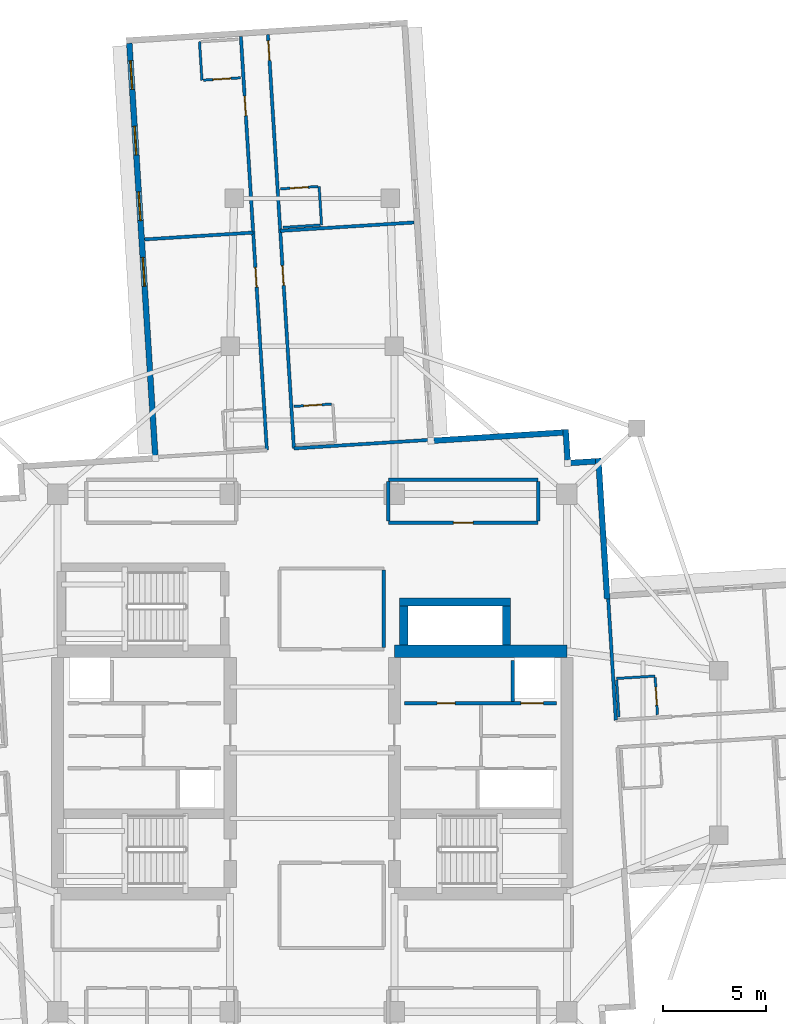
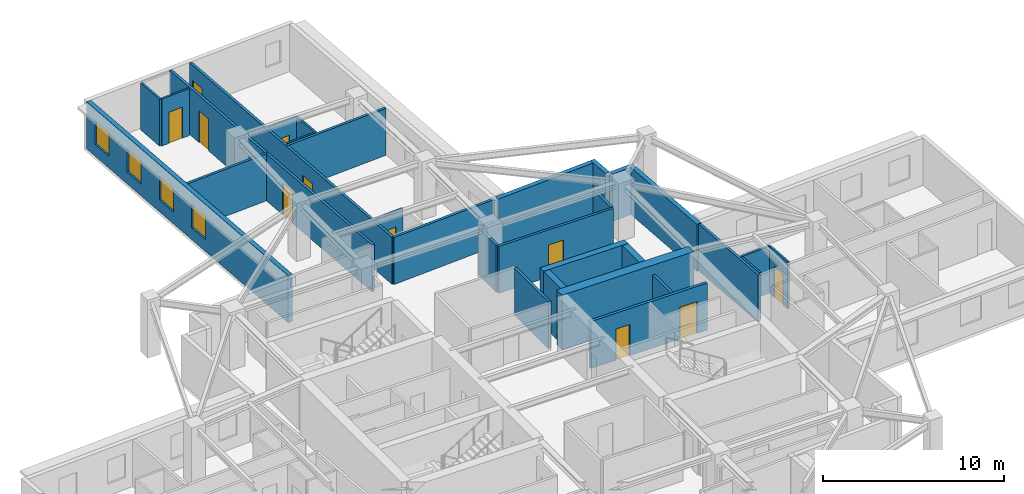
# One storey, part 7 of 12: 31 walls, 11 doors, 4 windows, 15 openings.
"""IFC4 building model written with IfcOpenShell, lengths in metres."""

import ifcopenshell
import ifcopenshell.guid

model = None  # the IFC model being written
_history = None  # IfcOwnerHistory: only IFC2X3 demands one
_inside = {}  # id of a spatial element -> (the spatial element, [elements in it])
_under = {}  # id of a project, library or spatial element -> (it, [spatial elements below it])
_declared = {}  # id of a project -> (the project, [libraries it declares])
_typed = {}  # id of a type object -> (the type object, [elements of that type])
_made_of = {}  # id of a material, layer set ... -> (it, [elements and type objects made of it])


def new_model(schema):
    """Start an empty IFC model of exactly this schema.

    Asked for "IFC4X3", IfcOpenShell would pick the latest addendum, in which some entities
    have other attributes; the version numbers below select the first issue.
    IFC2X3 requires an IfcOwnerHistory on every rooted entity: one is made here for all.
    """
    global model, _history
    if schema == "IFC4X3":
        model = ifcopenshell.file(schema_version=(4, 3, 0, 0))
    else:
        model = ifcopenshell.file(schema=schema)
    _inside.clear()
    _under.clear()
    _declared.clear()
    _typed.clear()
    _made_of.clear()
    _history = None
    if model.schema == "IFC2X3":
        org = make("IfcOrganization", Name="unknown")
        user = make(
            "IfcPersonAndOrganization",
            ThePerson=make("IfcPerson", FamilyName="unknown"),
            TheOrganization=org,
        )
        app = make(
            "IfcApplication",
            ApplicationDeveloper=org,
            Version="unknown",
            ApplicationFullName="unknown",
            ApplicationIdentifier="unknown",
        )
        _history = make(
            "IfcOwnerHistory",
            OwningUser=user,
            OwningApplication=app,
            ChangeAction="ADDED",
            CreationDate=0,
        )
    return model


def make(cls, **values):
    """One entity of the class cls with the attributes given. An attribute that is None is left unset."""
    return model.create_entity(
        cls, **{name: value for name, value in values.items() if value is not None}
    )


def rooted(cls, **values):
    """An entity with a GlobalId (a new one), such as an element, a storey or a relation."""
    return make(cls, GlobalId=ifcopenshell.guid.new(), OwnerHistory=_history, **values)


def si_unit(unit_type, name, prefix=None):
    """IfcSIUnit, for example si_unit("LENGTHUNIT", "METRE", prefix="MILLI")."""
    return make("IfcSIUnit", UnitType=unit_type, Prefix=prefix, Name=name)


def assignment(units):
    """IfcUnitAssignment: the units of a project."""
    return None if units is None else make("IfcUnitAssignment", Units=units)


def point(xyz):
    """IfcCartesianPoint."""
    return None if xyz is None else make("IfcCartesianPoint", Coordinates=xyz)


def direction(xyz):
    """IfcDirection."""
    return None if xyz is None else make("IfcDirection", DirectionRatios=xyz)


def frame(location, z_axis=None, x_axis=None):
    """IfcAxis2Placement3D, a coordinate frame: its origin and axes. An axis left out is left unset."""
    return make(
        "IfcAxis2Placement3D",
        Location=point(location),
        Axis=direction(z_axis),
        RefDirection=direction(x_axis),
    )


def frame_2d(location, x_axis=None):
    """IfcAxis2Placement2D, a coordinate frame in the plane: its origin and x axis."""
    return make(
        "IfcAxis2Placement2D", Location=point(location), RefDirection=direction(x_axis)
    )


def origin():
    """The frame at (0, 0, 0) with its axes left unset."""
    return frame((0.0, 0.0, 0.0))


def place(relative_to, where):
    """IfcLocalPlacement: puts the frame where relative to a parent placement (None: the world)."""
    return make(
        "IfcLocalPlacement", PlacementRelTo=relative_to, RelativePlacement=where
    )


def context(
    kind, dimensions, precision=None, world=None, true_north=None, identifier=None
):
    """IfcGeometricRepresentationContext, for example the 3D "Model" context."""
    return make(
        "IfcGeometricRepresentationContext",
        ContextIdentifier=identifier,
        ContextType=kind,
        CoordinateSpaceDimension=dimensions,
        Precision=precision,
        WorldCoordinateSystem=world,
        TrueNorth=true_north,
    )


def subcontext(parent, identifier, kind, view, scale=None):
    """IfcGeometricRepresentationSubContext, for example "Body" below "Model"."""
    return make(
        "IfcGeometricRepresentationSubContext",
        ContextIdentifier=identifier,
        ContextType=kind,
        ParentContext=parent,
        TargetScale=scale,
        TargetView=view,
    )


def project(units=None, contexts=None):
    """IfcProject with its units and contexts."""
    return rooted(
        "IfcProject",
        Name="project",
        RepresentationContexts=contexts,
        UnitsInContext=assignment(units),
    )


def spatial(cls, under=None, at=None, **own):
    """A site, building, storey or space (cls), placed at a placement, below another one or the project."""
    s = rooted(cls, ObjectPlacement=at, **own)
    if under is not None:
        _under.setdefault(under.id(), (under, []))[1].append(s)
    return s


def profile(cls, at=None, kind="AREA", **sizes):
    """A parametric profile (cls). Its sizes go by their IFC names, for example OverallWidth=200.0."""
    return make(cls, ProfileType=kind, Position=at, **sizes)


def rectangle(**sizes):
    """IfcRectangleProfileDef."""
    return profile("IfcRectangleProfileDef", **sizes)


def extrude(swept, where, along, depth):
    """IfcExtrudedAreaSolid: the profile swept, set in the frame where, extruded along a direction by depth."""
    return make(
        "IfcExtrudedAreaSolid",
        SweptArea=swept,
        Position=where,
        ExtrudedDirection=direction(along),
        Depth=depth,
    )


def shape(context_of_items, identifier, shape_type, items):
    """IfcShapeRepresentation: the items that make up one representation, for example the "Body"."""
    return make(
        "IfcShapeRepresentation",
        ContextOfItems=context_of_items,
        RepresentationIdentifier=identifier,
        RepresentationType=shape_type,
        Items=items,
    )


def material(Name=None, Category=None):
    """IfcMaterial."""
    return make("IfcMaterial", Name=Name, Category=Category)


def layer(
    of_material, thickness, ventilated=None, Name=None, Category=None, Priority=None
):
    """IfcMaterialLayer: one layer of a wall or slab, of a material (None: an air gap)."""
    return make(
        "IfcMaterialLayer",
        Material=of_material,
        LayerThickness=thickness,
        IsVentilated=ventilated,
        Name=Name,
        Category=Category,
        Priority=Priority,
    )


def layer_set(layers, Name=None):
    """IfcMaterialLayerSet."""
    return make("IfcMaterialLayerSet", MaterialLayers=layers, LayerSetName=Name)


def made_of(thing, what):
    """Note that an element or type object is made of a material, layer set ...; save() writes the relation."""
    if what is not None:
        _made_of.setdefault(what.id(), (what, []))[1].append(thing)
    return thing


def type_object(cls, material=None, **own):
    """A type object (cls), such as IfcWallType, which elements share."""
    return made_of(rooted(cls, **own), material)


def element(
    cls,
    number,
    at=None,
    inside=None,
    cuts=None,
    type_object=None,
    material=None,
    context=None,
    identifier="Body",
    shape_type=None,
    held_by="IfcProductDefinitionShape",
    body=None,
    shapes=None,
    **own,
):
    """One element of the class cls, such as IfcWall. Its Tag is "e" and its number.

    at: its placement. inside: the storey or other place that contains it. cuts: it is an
    opening in that element (IfcRelVoidsElement). A single representation is given by context,
    identifier, shape_type and body (its items); several are given by shapes. held_by: the class
    of the entity that holds the representations. save() writes the other relations.
    """
    e = rooted(cls, Tag="e%d" % number, ObjectPlacement=at, **own)
    if body is not None:
        shapes = [shape(context, identifier, shape_type, body)]
    if shapes is not None:
        e.Representation = make(held_by, Representations=shapes)
    if inside is not None:
        _inside.setdefault(inside.id(), (inside, []))[1].append(e)
    if cuts is not None:
        rooted(
            "IfcRelVoidsElement", RelatingBuildingElement=cuts, RelatedOpeningElement=e
        )
    if type_object is not None:
        _typed.setdefault(type_object.id(), (type_object, []))[1].append(e)
    return made_of(e, material)


def fill(opening, filler):
    """IfcRelFillsElement: the door or window that sits in an opening."""
    return rooted(
        "IfcRelFillsElement",
        RelatingOpeningElement=opening,
        RelatedBuildingElement=filler,
    )


def aggregate(whole, parts):
    """IfcRelAggregates: a whole, such as a stair, and the parts it consists of."""
    return rooted("IfcRelAggregates", RelatingObject=whole, RelatedObjects=parts)


def save(model, path):
    """Write the relations noted so far, then the file.

    IfcRelAggregates (storeys below a building ...), IfcRelContainedInSpatialStructure (elements
    in a storey), IfcRelDefinesByType, IfcRelAssociatesMaterial and IfcRelDeclares: one each for
    every whole, place, type object, material and project.
    """
    for whole, parts in _under.values():
        aggregate(whole, parts)
    for where, things in _inside.values():
        rooted(
            "IfcRelContainedInSpatialStructure",
            RelatedElements=things,
            RelatingStructure=where,
        )
    for kind, things in _typed.values():
        rooted("IfcRelDefinesByType", RelatedObjects=things, RelatingType=kind)
    for what, things in _made_of.values():
        rooted("IfcRelAssociatesMaterial", RelatedObjects=things, RelatingMaterial=what)
    for by, libraries in _declared.values():
        rooted("IfcRelDeclares", RelatingContext=by, RelatedDefinitions=libraries)
    model.write(path)


model = new_model("IFC4")

# Units and contexts
model_context = context("Model", 3, precision=1e-05, world=origin(), true_north=direction((0.0, 1.0)))
body_context = subcontext(model_context, "Body", "Model", "MODEL_VIEW")
ifc_project = project(units=[si_unit("LENGTHUNIT", "METRE"), si_unit("AREAUNIT", "SQUARE_METRE"), si_unit("VOLUMEUNIT", "CUBIC_METRE"), si_unit("PLANEANGLEUNIT", "RADIAN"), si_unit("MASSUNIT", "GRAM", prefix="KILO")], contexts=[model_context])

# Site, building, storey
site_placement = place(None, origin())
site = spatial("IfcSite", under=ifc_project, at=site_placement, CompositionType="ELEMENT")
building_placement = place(site_placement, origin())
building = spatial("IfcBuilding", under=site, at=building_placement, Name="Qingluan Cross Belvedere", CompositionType="ELEMENT")
storey_placement = place(building_placement, frame((0.0, 0.0, 209.10009765625)))
storey = spatial("IfcBuildingStorey", under=building, at=storey_placement, Name="L52", CompositionType="ELEMENT", Elevation=209.10009765625)

# Walls
ifc_material_1 = material(Name="Concrete C50", Category="concrete")
ifc_layer_1 = layer(ifc_material_1, 0.449951171875, Name="CoreShearWall_450")
ifc_layer_set_1 = layer_set([ifc_layer_1], Name="Concrete C50")
wall_type_1 = type_object("IfcWallType", Name="CoreShearWall_450", PredefinedType="SHEAR", material=ifc_layer_set_1)
wall_1_placement = place(storey_placement, frame((4.449951171875, 5.2548828125, 0.0), z_axis=(0.0, 0.0, 1.0), x_axis=(0.0, 1.0, 0.0)))
element("IfcWall", 1, at=wall_1_placement, inside=storey, type_object=wall_type_1, Name="Express shuttle core wall L52-W", PredefinedType="SHEAR", context=body_context, shape_type="SweptSolid", body=[
    extrude(rectangle(XDim=1.885009765625, YDim=0.39990234375, at=frame_2d((0.9423828125, 0.0))), origin(), (0.0, 0.0, 1.0), 3.699951171875),
])
wall_2_placement = place(storey_placement, frame((4.25, 7.35009765625, 0.0), z_axis=(0.0, 0.0, 1.0), x_axis=(1.0, 0.0, 0.0)))
element("IfcWall", 2, at=wall_2_placement, inside=storey, type_object=wall_type_1, Name="Express shuttle core wall L52-N", PredefinedType="SHEAR", context=body_context, shape_type="SweptSolid", body=[
    extrude(rectangle(XDim=5.39990234375, YDim=0.39990234375, at=frame_2d((2.699951171875, 0.0))), origin(), (0.0, 0.0, 1.0), 3.699951171875),
])
wall_3_placement = place(storey_placement, frame((9.449951171875, 5.2548828125, 0.0), z_axis=(0.0, 0.0, 1.0), x_axis=(0.0, 1.0, 0.0)))
element("IfcWall", 3, at=wall_3_placement, inside=storey, type_object=wall_type_1, Name="Express shuttle core wall L52-E", PredefinedType="SHEAR", context=body_context, shape_type="SweptSolid", body=[
    extrude(rectangle(XDim=1.885009765625, YDim=0.39990234375, at=frame_2d((0.9423828125, 0.0))), origin(), (0.0, 0.0, 1.0), 3.699951171875),
])
ifc_material_2 = material(Name="Concrete C60", Category="concrete")
ifc_layer_2 = layer(ifc_material_2, 0.60009765625, Name="CoreShearWall_600")
ifc_layer_set_2 = layer_set([ifc_layer_2], Name="Concrete C60")
wall_type_2 = type_object("IfcWallType", Name="CoreShearWall_600", PredefinedType="SHEAR", material=ifc_layer_set_2)
wall_4_placement = place(storey_placement, frame((4.0, 4.949951171875, 0.0), z_axis=(0.0, 0.0, 1.0), x_axis=(1.0, 0.0, 0.0)))
element("IfcWall", 4, at=wall_4_placement, inside=storey, type_object=wall_type_2, Name="Split core E shear wall L52-N", PredefinedType="SHEAR", context=body_context, shape_type="SweptSolid", body=[
    extrude(rectangle(XDim=8.39990234375, YDim=0.60009765625, at=frame_2d((4.199951171875, 0.0))), origin(), (0.0, 0.0, 1.0), 3.699951171875),
])

# Wall, opening, door
ifc_material_3 = material(Name="Gypsum plasterboard on steel stud acoustic partition", Category="steel")
ifc_layer_3 = layer(ifc_material_3, 0.159912109375, Name="CorridorPartition_160")
ifc_layer_set_3 = layer_set([ifc_layer_3], Name="Gypsum plasterboard on steel stud acoustic partition")
wall_type_3 = type_object("IfcWallType", Name="CorridorPartition_160", PredefinedType="PARTITIONING", material=ifc_layer_set_3)
wall_5_placement = place(storey_placement, frame((3.699951171875, 11.199951171875, 0.0), z_axis=(0.0, 0.0, 1.0), x_axis=(1.0, 0.0, 0.0)))
wall_5 = element("IfcWall", 5, at=wall_5_placement, inside=storey, type_object=wall_type_3, Name="Partition L52:q_ne:S", PredefinedType="PARTITIONING", context=body_context, shape_type="SweptSolid", body=[
    extrude(rectangle(XDim=7.300048828125, YDim=0.159912109375, at=frame_2d((3.64990234375, 0.0))), origin(), (0.0, 0.0, 1.0), 3.169921875),
])
opening_1_placement = place(wall_5_placement, frame((3.169921875, 0.0, 0.0)))
opening_1 = element("IfcOpeningElement", 6, at=opening_1_placement, cuts=wall_5, Name="Opening GD-10", PredefinedType="OPENING", context=body_context, shape_type="SweptSolid", body=[
    extrude(rectangle(XDim=0.9599609375, YDim=2.14990234375, at=frame_2d((0.47998046875, 1.074951171875))), frame((0.0, 0.08984375, 0.0), z_axis=(0.0, -1.0, 0.0), x_axis=(1.0, 0.0, 0.0)), (0.0, 0.0, 1.0), 0.179931640625),
])
ifc_material_4 = material(Name="Timber oak fire-rated acoustic guestroom door", Category="wood")
door_type_1 = type_object("IfcDoorType", Name="GuestEntryDoor_FD60", OperationType="NOTDEFINED", PredefinedType="DOOR", material=ifc_material_4)
door_1_placement = place(opening_1_placement, origin())
door_1 = element("IfcDoor", 7, at=door_1_placement, inside=storey, type_object=door_type_1, Name="Horizon club lounge L52 door", OperationType="SINGLE_SWING_LEFT", OverallHeight=2.14990234375, OverallWidth=0.9599609375, PredefinedType="DOOR", context=body_context, shape_type="SweptSolid", body=[
    extrude(rectangle(XDim=0.9599609375, YDim=2.14990234375, at=frame_2d((0.47998046875, 1.074951171875))), frame((0.0, 0.02490234375, 0.0), z_axis=(0.0, -1.0, 0.0), x_axis=(1.0, 0.0, 0.0)), (0.0, 0.0, 1.0), 0.050048828125),
])
fill(opening_1, door_1)

# Walls
wall_6_placement = place(storey_placement, frame((3.699951171875, 13.300048828125, 0.0), z_axis=(0.0, 0.0, 1.0), x_axis=(1.0, 0.0, 0.0)))
element("IfcWall", 8, at=wall_6_placement, inside=storey, type_object=wall_type_3, Name="Partition L52:q_ne:N", PredefinedType="PARTITIONING", context=body_context, shape_type="SweptSolid", body=[
    extrude(rectangle(XDim=7.300048828125, YDim=0.159912109375, at=frame_2d((3.64990234375, 0.0))), origin(), (0.0, 0.0, 1.0), 3.169921875),
])
for number, where, z_axis, x_axis, name in (
    (9, (3.699951171875, 11.284912109375, 0.0), (0.0, 0.0, 1.0), (0.0, 1.0, 0.0), "Partition L52:q_ne:W"),
    (10, (11.0, 11.284912109375, 0.0), (0.0, 0.0, 1.0), (0.0, 1.0, 0.0), "Partition L52:q_ne:E"),
):
    element("IfcWall", number, at=place(storey_placement, frame(where, z_axis=z_axis, x_axis=x_axis)), inside=storey, type_object=wall_type_3, Name=name, PredefinedType="PARTITIONING", context=body_context, shape_type="SweptSolid", body=[
        extrude(rectangle(XDim=1.93017578125, YDim=0.159912109375, at=frame_2d((0.965087890625, 0.0))), origin(), (0.0, 0.0, 1.0), 3.169921875),
    ])
wall_7_placement = place(storey_placement, frame((3.47998046875, 5.135009765625, 0.0), z_axis=(0.0, 0.0, 1.0), x_axis=(0.0, 1.0, 0.0)))
element("IfcWall", 11, at=wall_7_placement, inside=storey, type_object=wall_type_3, Name="Partition L52:sky_tea_alcove:E", PredefinedType="PARTITIONING", context=body_context, shape_type="SweptSolid", body=[
    extrude(rectangle(XDim=3.760009765625, YDim=0.159912109375, at=frame_2d((1.8798828125, 0.0))), origin(), (0.0, 0.0, 1.0), 3.169921875),
])
wall_8_placement = place(storey_placement, frame((14.779296875, 1.591064453125, 0.0), z_axis=(0.0, 0.0, 1.0), x_axis=(-0.062810194096, 0.998025490415, 0.0)))
element("IfcWall", 12, at=wall_8_placement, inside=storey, type_object=wall_type_3, Name="Partition L52:E:s0", PredefinedType="PARTITIONING", context=body_context, shape_type="SweptSolid", body=[
    extrude(rectangle(XDim=5.912109375, YDim=0.159912109375, at=frame_2d((2.9560546875, 0.0))), origin(), (0.0, 0.0, 1.0), 3.169921875),
])

# Wall, openings, doors
wall_9_placement = place(storey_placement, frame((-0.892578125, 14.8232421875, 0.0), z_axis=(0.0, 0.0, 1.0), x_axis=(-0.062783460104, 0.998027172545, 0.0)))
wall_9 = element("IfcWall", 13, at=wall_9_placement, inside=storey, type_object=wall_type_3, Name="Partition L52:N:c0", PredefinedType="PARTITIONING", context=body_context, shape_type="SweptSolid", body=[
    extrude(rectangle(XDim=20.181884765625, YDim=0.159912109375, at=frame_2d((10.0908203125, 0.0))), origin(), (0.0, 0.0, 1.0), 3.169921875),
])
opening_2_placement = place(wall_9_placement, frame((7.949951171875, 0.0, 0.0)))
opening_2 = element("IfcOpeningElement", 14, at=opening_2_placement, cuts=wall_9, Name="Opening GD-10", PredefinedType="OPENING", context=body_context, shape_type="SweptSolid", body=[
    extrude(rectangle(XDim=0.9599609375, YDim=2.14990234375, at=frame_2d((0.47998046875, 1.074951171875))), frame((0.0, 0.08984375, 0.0), z_axis=(0.0, -1.0, 0.0), x_axis=(1.0, 0.0, 0.0)), (0.0, 0.0, 1.0), 0.179931640625),
])
opening_3_placement = place(wall_9_placement, frame((18.929931640625, 0.0, 0.0)))
opening_3 = element("IfcOpeningElement", 15, at=opening_3_placement, cuts=wall_9, Name="Opening GD-10", PredefinedType="OPENING", context=body_context, shape_type="SweptSolid", body=[
    extrude(rectangle(XDim=0.9599609375, YDim=2.14990234375, at=frame_2d((0.47998046875, 1.074951171875))), frame((0.0, 0.08984375, 0.0), z_axis=(0.0, -1.0, 0.0), x_axis=(1.0, 0.0, 0.0)), (0.0, 0.0, 1.0), 0.179931640625),
])
door_2_placement = place(opening_2_placement, origin())
door_2 = element("IfcDoor", 16, at=door_2_placement, inside=storey, type_object=door_type_1, Name="Guest entry fire door 5209", OperationType="SINGLE_SWING_RIGHT", OverallHeight=2.14990234375, OverallWidth=0.9599609375, PredefinedType="DOOR", context=body_context, shape_type="SweptSolid", body=[
    extrude(rectangle(XDim=0.9599609375, YDim=2.14990234375, at=frame_2d((0.47998046875, 1.074951171875))), frame((0.0, 0.02490234375, 0.0), z_axis=(0.0, -1.0, 0.0), x_axis=(1.0, 0.0, 0.0)), (0.0, 0.0, 1.0), 0.050048828125),
])
fill(opening_2, door_2)
door_3_placement = place(opening_3_placement, origin())
door_3 = element("IfcDoor", 17, at=door_3_placement, inside=storey, type_object=door_type_1, Name="Guest entry fire door 5210", OperationType="SINGLE_SWING_RIGHT", OverallHeight=2.14990234375, OverallWidth=0.9599609375, PredefinedType="DOOR", context=body_context, shape_type="SweptSolid", body=[
    extrude(rectangle(XDim=0.9599609375, YDim=2.14990234375, at=frame_2d((0.47998046875, 1.074951171875))), frame((0.0, 0.02490234375, 0.0), z_axis=(0.0, -1.0, 0.0), x_axis=(1.0, 0.0, 0.0)), (0.0, 0.0, 1.0), 0.050048828125),
])
fill(opening_3, door_3)

# Walls
wall_10_placement = place(storey_placement, frame((-0.892578125, 14.8232421875, 0.0), z_axis=(0.0, 0.0, 1.0), x_axis=(0.998026897295, 0.062787835416, 0.0)))
element("IfcWall", 18, at=wall_10_placement, inside=storey, type_object=wall_type_3, Name="Partition L52:N:s0", PredefinedType="PARTITIONING", context=body_context, shape_type="SweptSolid", body=[
    extrude(rectangle(XDim=6.68017578125, YDim=0.159912109375, at=frame_2d((3.340087890625, 0.0))), origin(), (0.0, 0.0, 1.0), 3.169921875),
])
wall_11_placement = place(storey_placement, frame((-1.558837890625, 25.414306640625, 0.0), z_axis=(0.0, 0.0, 1.0), x_axis=(0.998026605329, 0.062792476105, 0.0)))
element("IfcWall", 19, at=wall_11_placement, inside=storey, type_object=wall_type_3, Name="Partition L52:N:d0_0", PredefinedType="PARTITIONING", context=body_context, shape_type="SweptSolid", body=[
    extrude(rectangle(XDim=6.531982421875, YDim=0.159912109375, at=frame_2d((3.26611328125, 0.0))), origin(), (0.0, 0.0, 1.0), 3.169921875),
])

# Wall, openings, doors
wall_12_placement = place(storey_placement, frame((-2.2099609375, 14.740234375, 0.0), z_axis=(0.0, 0.0, 1.0), x_axis=(-0.06278270212, 0.998027220227, 0.0)))
wall_12 = element("IfcWall", 20, at=wall_12_placement, inside=storey, type_object=wall_type_3, Name="Partition L52:N:c1", PredefinedType="PARTITIONING", context=body_context, shape_type="SweptSolid", body=[
    extrude(rectangle(XDim=20.18212890625, YDim=0.159912109375, at=frame_2d((10.091064453125, 0.0))), origin(), (0.0, 0.0, 1.0), 3.169921875),
])
opening_4_placement = place(wall_12_placement, frame((7.949951171875, 0.0, 0.0)))
opening_4 = element("IfcOpeningElement", 21, at=opening_4_placement, cuts=wall_12, Name="Opening GD-10", PredefinedType="OPENING", context=body_context, shape_type="SweptSolid", body=[
    extrude(rectangle(XDim=0.9599609375, YDim=2.14990234375, at=frame_2d((0.47998046875, 1.074951171875))), frame((0.0, 0.08984375, 0.0), z_axis=(0.0, -1.0, 0.0), x_axis=(1.0, 0.0, 0.0)), (0.0, 0.0, 1.0), 0.179931640625),
])
opening_5_placement = place(wall_12_placement, frame((16.31005859375, 0.0, 0.0)))
opening_5 = element("IfcOpeningElement", 22, at=opening_5_placement, cuts=wall_12, Name="Opening GD-10", PredefinedType="OPENING", context=body_context, shape_type="SweptSolid", body=[
    extrude(rectangle(XDim=0.9599609375, YDim=2.14990234375, at=frame_2d((0.47998046875, 1.074951171875))), frame((0.0, 0.08984375, 0.0), z_axis=(0.0, -1.0, 0.0), x_axis=(1.0, 0.0, 0.0)), (0.0, 0.0, 1.0), 0.179931640625),
])
door_4_placement = place(opening_4_placement, origin())
door_4 = element("IfcDoor", 23, at=door_4_placement, inside=storey, type_object=door_type_1, Name="Guest entry fire door 5211", OperationType="SINGLE_SWING_RIGHT", OverallHeight=2.14990234375, OverallWidth=0.9599609375, PredefinedType="DOOR", context=body_context, shape_type="SweptSolid", body=[
    extrude(rectangle(XDim=0.9599609375, YDim=2.14990234375, at=frame_2d((0.47998046875, 1.074951171875))), frame((0.0, 0.02490234375, 0.0), z_axis=(0.0, -1.0, 0.0), x_axis=(1.0, 0.0, 0.0)), (0.0, 0.0, 1.0), 0.050048828125),
])
fill(opening_4, door_4)
door_5_placement = place(opening_5_placement, origin())
door_5 = element("IfcDoor", 24, at=door_5_placement, inside=storey, type_object=door_type_1, Name="Guest entry fire door 5212", OperationType="SINGLE_SWING_RIGHT", OverallHeight=2.14990234375, OverallWidth=0.9599609375, PredefinedType="DOOR", context=body_context, shape_type="SweptSolid", body=[
    extrude(rectangle(XDim=0.9599609375, YDim=2.14990234375, at=frame_2d((0.47998046875, 1.074951171875))), frame((0.0, 0.02490234375, 0.0), z_axis=(0.0, -1.0, 0.0), x_axis=(1.0, 0.0, 0.0)), (0.0, 0.0, 1.0), 0.050048828125),
])
fill(opening_5, door_5)

# Wall
wall_13_placement = place(storey_placement, frame((-2.876220703125, 25.331298828125, 0.0), z_axis=(0.0, 0.0, 1.0), x_axis=(-0.998026823824, -0.062789003246, 0.0)))
element("IfcWall", 25, at=wall_13_placement, inside=storey, type_object=wall_type_3, Name="Partition L52:N:d1_0", PredefinedType="PARTITIONING", context=body_context, shape_type="SweptSolid", body=[
    extrude(rectangle(XDim=5.2919921875, YDim=0.159912109375, at=frame_2d((2.64599609375, 0.0))), origin(), (0.0, 0.0, 1.0), 3.169921875),
])

# Wall, opening, door
ifc_material_5 = material(Name="Moisture-resistant gypsum board lining")
ifc_layer_4 = layer(ifc_material_5, 0.1201171875, Name="EnsuiteWetPartition_120")
ifc_layer_set_4 = layer_set([ifc_layer_4], Name="Moisture-resistant gypsum board lining")
wall_type_4 = type_object("IfcWallType", Name="EnsuiteWetPartition_120", PredefinedType="PARTITIONING", material=ifc_layer_set_4)
wall_14_placement = place(storey_placement, frame((16.806396484375, 1.85888671875, 0.0), z_axis=(0.0, 0.0, 1.0), x_axis=(-0.062779145668, 0.998027443946, 0.0)))
wall_14 = element("IfcWall", 26, at=wall_14_placement, inside=storey, type_object=wall_type_4, Name="Partition L52:E:bs0_0", PredefinedType="PARTITIONING", context=body_context, shape_type="SweptSolid", body=[
    extrude(rectangle(XDim=1.820068359375, YDim=0.1201171875, at=frame_2d((0.91015625, 0.0))), origin(), (0.0, 0.0, 1.0), 3.169921875),
])
opening_6_placement = place(wall_14_placement, frame((0.469970703125, 0.0, 0.0)))
opening_6 = element("IfcOpeningElement", 27, at=opening_6_placement, cuts=wall_14, Name="Opening BD-09", PredefinedType="OPENING", context=body_context, shape_type="SweptSolid", body=[
    extrude(rectangle(XDim=0.8798828125, YDim=2.10009765625, at=frame_2d((0.43994140625, 1.050048828125))), frame((0.0, 0.070068359375, 0.0), z_axis=(0.0, -1.0, 0.0), x_axis=(1.0, 0.0, 0.0)), (0.0, 0.0, 1.0), 0.14013671875),
])
ifc_material_6 = material(Name="Moisture-sealed timber en-suite door", Category="wood")
door_type_2 = type_object("IfcDoorType", Name="BathroomDoor_880", OperationType="NOTDEFINED", PredefinedType="DOOR", material=ifc_material_6)
door_6_placement = place(opening_6_placement, origin())
door_6 = element("IfcDoor", 28, at=door_6_placement, inside=storey, type_object=door_type_2, Name="Bathroom door 5201", OperationType="SINGLE_SWING_LEFT", OverallHeight=2.10009765625, OverallWidth=0.8798828125, PredefinedType="DOOR", context=body_context, shape_type="SweptSolid", body=[
    extrude(rectangle(XDim=0.8798828125, YDim=2.10009765625, at=frame_2d((0.43994140625, 1.050048828125))), frame((0.0, 0.02490234375, 0.0), z_axis=(0.0, -1.0, 0.0), x_axis=(1.0, 0.0, 0.0)), (0.0, 0.0, 1.0), 0.050048828125),
])
fill(opening_6, door_6)

# Walls
wall_15_placement = place(storey_placement, frame((14.93017578125, 1.740966796875, 0.0), z_axis=(0.0, 0.0, 1.0), x_axis=(-0.062779145668, 0.998027443946, 0.0)))
element("IfcWall", 29, at=wall_15_placement, inside=storey, type_object=wall_type_4, Name="Partition L52:E:bw0_0", PredefinedType="PARTITIONING", context=body_context, shape_type="SweptSolid", body=[
    extrude(rectangle(XDim=1.820068359375, YDim=0.1201171875, at=frame_2d((0.91015625, 0.0))), origin(), (0.0, 0.0, 1.0), 3.169921875),
])
wall_16_placement = place(storey_placement, frame((14.811767578125, 3.622314453125, 0.0), z_axis=(0.0, 0.0, 1.0), x_axis=(0.998030789148, 0.062725942896, 0.0)))
element("IfcWall", 30, at=wall_16_placement, inside=storey, type_object=wall_type_4, Name="Partition L52:E:bn0_0", PredefinedType="PARTITIONING", context=body_context, shape_type="SweptSolid", body=[
    extrude(rectangle(XDim=1.8798828125, YDim=0.1201171875, at=frame_2d((0.93994140625, 0.0))), origin(), (0.0, 0.0, 1.0), 3.169921875),
])

# Wall, opening, door
wall_17_placement = place(storey_placement, frame((-0.880859375, 16.867919921875, 0.0), z_axis=(0.0, 0.0, 1.0), x_axis=(0.998019030272, 0.062912758763, 0.0)))
wall_17 = element("IfcWall", 31, at=wall_17_placement, inside=storey, type_object=wall_type_4, Name="Partition L52:N:bs0_0", PredefinedType="PARTITIONING", context=body_context, shape_type="SweptSolid", body=[
    extrude(rectangle(XDim=1.820068359375, YDim=0.1201171875, at=frame_2d((0.91015625, 0.0))), origin(), (0.0, 0.0, 1.0), 3.169921875),
])
opening_7_placement = place(wall_17_placement, frame((0.469970703125, 0.0, 0.0)))
opening_7 = element("IfcOpeningElement", 32, at=opening_7_placement, cuts=wall_17, Name="Opening BD-09", PredefinedType="OPENING", context=body_context, shape_type="SweptSolid", body=[
    extrude(rectangle(XDim=0.8798828125, YDim=2.10009765625, at=frame_2d((0.43994140625, 1.050048828125))), frame((0.0, 0.070068359375, 0.0), z_axis=(0.0, -1.0, 0.0), x_axis=(1.0, 0.0, 0.0)), (0.0, 0.0, 1.0), 0.14013671875),
])
door_7_placement = place(opening_7_placement, origin())
door_7 = element("IfcDoor", 33, at=door_7_placement, inside=storey, type_object=door_type_2, Name="Bathroom door 5209", OperationType="SINGLE_SWING_LEFT", OverallHeight=2.10009765625, OverallWidth=0.8798828125, PredefinedType="DOOR", context=body_context, shape_type="SweptSolid", body=[
    extrude(rectangle(XDim=0.8798828125, YDim=2.10009765625, at=frame_2d((0.43994140625, 1.050048828125))), frame((0.0, 0.02490234375, 0.0), z_axis=(0.0, -1.0, 0.0), x_axis=(1.0, 0.0, 0.0)), (0.0, 0.0, 1.0), 0.050048828125),
])
fill(opening_7, door_7)

wall_18_placement = place(storey_placement, frame((-1.547119140625, 27.458984375, 0.0), z_axis=(0.0, 0.0, 1.0), x_axis=(0.998027443946, 0.062779145668, 0.0)))
wall_18 = element("IfcWall", 34, at=wall_18_placement, inside=storey, type_object=wall_type_4, Name="Partition L52:N:bs0_1", PredefinedType="PARTITIONING", context=body_context, shape_type="SweptSolid", body=[
    extrude(rectangle(XDim=1.820068359375, YDim=0.1201171875, at=frame_2d((0.91015625, 0.0))), origin(), (0.0, 0.0, 1.0), 3.169921875),
])
opening_8_placement = place(wall_18_placement, frame((0.469970703125, 0.0, 0.0)))
opening_8 = element("IfcOpeningElement", 35, at=opening_8_placement, cuts=wall_18, Name="Opening BD-09", PredefinedType="OPENING", context=body_context, shape_type="SweptSolid", body=[
    extrude(rectangle(XDim=0.8798828125, YDim=2.10009765625, at=frame_2d((0.43994140625, 1.050048828125))), frame((0.0, 0.070068359375, 0.0), z_axis=(0.0, -1.0, 0.0), x_axis=(1.0, 0.0, 0.0)), (0.0, 0.0, 1.0), 0.14013671875),
])
door_8_placement = place(opening_8_placement, origin())
door_8 = element("IfcDoor", 36, at=door_8_placement, inside=storey, type_object=door_type_2, Name="Bathroom door 5210", OperationType="SINGLE_SWING_LEFT", OverallHeight=2.10009765625, OverallWidth=0.8798828125, PredefinedType="DOOR", context=body_context, shape_type="SweptSolid", body=[
    extrude(rectangle(XDim=0.8798828125, YDim=2.10009765625, at=frame_2d((0.43994140625, 1.050048828125))), frame((0.0, 0.02490234375, 0.0), z_axis=(0.0, -1.0, 0.0), x_axis=(1.0, 0.0, 0.0)), (0.0, 0.0, 1.0), 0.050048828125),
])
fill(opening_8, door_8)

# Walls
wall_19_placement = place(storey_placement, frame((-1.42919921875, 25.582763671875, 0.0), z_axis=(0.0, 0.0, 1.0), x_axis=(0.998027443946, 0.062779145668, 0.0)))
element("IfcWall", 37, at=wall_19_placement, inside=storey, type_object=wall_type_4, Name="Partition L52:N:bw0_1", PredefinedType="PARTITIONING", context=body_context, shape_type="SweptSolid", body=[
    extrude(rectangle(XDim=1.820068359375, YDim=0.1201171875, at=frame_2d((0.91015625, 0.0))), origin(), (0.0, 0.0, 1.0), 3.169921875),
])
wall_20_placement = place(storey_placement, frame((0.4521484375, 25.701171875, 0.0), z_axis=(0.0, 0.0, 1.0), x_axis=(-0.062855297722, 0.998022650819, 0.0)))
element("IfcWall", 38, at=wall_20_placement, inside=storey, type_object=wall_type_4, Name="Partition L52:N:bn0_1", PredefinedType="PARTITIONING", context=body_context, shape_type="SweptSolid", body=[
    extrude(rectangle(XDim=1.8798828125, YDim=0.1201171875, at=frame_2d((0.93994140625, 0.0))), origin(), (0.0, 0.0, 1.0), 3.169921875),
])

# Wall, opening, door
wall_21_placement = place(storey_placement, frame((-5.306884765625, 32.75146484375, 0.0), z_axis=(0.0, 0.0, 1.0), x_axis=(0.998027443946, 0.062779145668, 0.0)))
wall_21 = element("IfcWall", 39, at=wall_21_placement, inside=storey, type_object=wall_type_4, Name="Partition L52:N:bs1_1", PredefinedType="PARTITIONING", context=body_context, shape_type="SweptSolid", body=[
    extrude(rectangle(XDim=1.820068359375, YDim=0.1201171875, at=frame_2d((0.91015625, 0.0))), origin(), (0.0, 0.0, 1.0), 3.169921875),
])
opening_9_placement = place(wall_21_placement, frame((0.469970703125, 0.0, 0.0)))
opening_9 = element("IfcOpeningElement", 40, at=opening_9_placement, cuts=wall_21, Name="Opening BD-09", PredefinedType="OPENING", context=body_context, shape_type="SweptSolid", body=[
    extrude(rectangle(XDim=0.8798828125, YDim=2.10009765625, at=frame_2d((0.43994140625, 1.050048828125))), frame((0.0, 0.070068359375, 0.0), z_axis=(0.0, -1.0, 0.0), x_axis=(1.0, 0.0, 0.0)), (0.0, 0.0, 1.0), 0.14013671875),
])
door_9_placement = place(opening_9_placement, origin())
door_9 = element("IfcDoor", 41, at=door_9_placement, inside=storey, type_object=door_type_2, Name="Bathroom door 5212", OperationType="SINGLE_SWING_LEFT", OverallHeight=2.10009765625, OverallWidth=0.8798828125, PredefinedType="DOOR", context=body_context, shape_type="SweptSolid", body=[
    extrude(rectangle(XDim=0.8798828125, YDim=2.10009765625, at=frame_2d((0.43994140625, 1.050048828125))), frame((0.0, 0.02490234375, 0.0), z_axis=(0.0, -1.0, 0.0), x_axis=(1.0, 0.0, 0.0)), (0.0, 0.0, 1.0), 0.050048828125),
])
fill(opening_9, door_9)

# Wall
wall_22_placement = place(storey_placement, frame((-5.371826171875, 32.747314453125, 0.0), z_axis=(0.0, 0.0, 1.0), x_axis=(-0.062855297722, 0.998022650819, 0.0)))
element("IfcWall", 42, at=wall_22_placement, inside=storey, type_object=wall_type_4, Name="Partition L52:N:bc1_1", PredefinedType="PARTITIONING", context=body_context, shape_type="SweptSolid", body=[
    extrude(rectangle(XDim=1.8798828125, YDim=0.1201171875, at=frame_2d((0.93994140625, 0.0))), origin(), (0.0, 0.0, 1.0), 3.169921875),
])

# Wall, openings, windows
ifc_material_7 = material(Name="Precast concrete C45", Category="concrete")
ifc_layer_5 = layer(ifc_material_7, 0.280029296875, Name="PrecastFacadeWall_280")
ifc_layer_set_5 = layer_set([ifc_layer_5], Name="Precast concrete C45")
wall_type_5 = type_object("IfcWallType", Name="PrecastFacadeWall_280", PredefinedType="STANDARD", material=ifc_layer_set_5)
wall_23_placement = place(storey_placement, frame((-8.906982421875, 34.548828125, 0.0), z_axis=(0.0, 0.0, 1.0), x_axis=(0.06279645424, -0.99802635503, 0.0)))
wall_23 = element("IfcWall", 43, at=wall_23_placement, inside=storey, type_object=wall_type_5, Name="Facade wall L52-NB", PredefinedType="STANDARD", context=body_context, shape_type="SweptSolid", body=[
    extrude(rectangle(XDim=20.099853515625, YDim=0.280029296875, at=frame_2d((10.0498046875, 0.0))), origin(), (0.0, 0.0, 1.0), 3.179931640625),
])
opening_10_placement = place(wall_23_placement, frame((0.85009765625, 0.0, 0.800048828125)))
opening_10 = element("IfcOpeningElement", 44, at=opening_10_placement, cuts=wall_23, Name="Opening W-01", PredefinedType="OPENING", context=body_context, shape_type="SweptSolid", body=[
    extrude(rectangle(XDim=1.39990234375, YDim=1.60009765625, at=frame_2d((0.699951171875, 0.800048828125))), frame((0.0, 0.14990234375, 0.0), z_axis=(0.0, -1.0, 0.0), x_axis=(1.0, 0.0, 0.0)), (0.0, 0.0, 1.0), 0.300048828125),
])
opening_11_placement = place(wall_23_placement, frame((4.050048828125, 0.0, 0.800048828125)))
opening_11 = element("IfcOpeningElement", 45, at=opening_11_placement, cuts=wall_23, Name="Opening W-01", PredefinedType="OPENING", context=body_context, shape_type="SweptSolid", body=[
    extrude(rectangle(XDim=1.39990234375, YDim=1.60009765625, at=frame_2d((0.699951171875, 0.800048828125))), frame((0.0, 0.14990234375, 0.0), z_axis=(0.0, -1.0, 0.0), x_axis=(1.0, 0.0, 0.0)), (0.0, 0.0, 1.0), 0.300048828125),
])
opening_12_placement = place(wall_23_placement, frame((7.25, 0.0, 0.800048828125)))
opening_12 = element("IfcOpeningElement", 46, at=opening_12_placement, cuts=wall_23, Name="Opening W-01", PredefinedType="OPENING", context=body_context, shape_type="SweptSolid", body=[
    extrude(rectangle(XDim=1.39990234375, YDim=1.60009765625, at=frame_2d((0.699951171875, 0.800048828125))), frame((0.0, 0.14990234375, 0.0), z_axis=(0.0, -1.0, 0.0), x_axis=(1.0, 0.0, 0.0)), (0.0, 0.0, 1.0), 0.300048828125),
])
opening_13_placement = place(wall_23_placement, frame((10.449951171875, 0.0, 0.800048828125)))
opening_13 = element("IfcOpeningElement", 47, at=opening_13_placement, cuts=wall_23, Name="Opening W-01", PredefinedType="OPENING", context=body_context, shape_type="SweptSolid", body=[
    extrude(rectangle(XDim=1.39990234375, YDim=1.60009765625, at=frame_2d((0.699951171875, 0.800048828125))), frame((0.0, 0.14990234375, 0.0), z_axis=(0.0, -1.0, 0.0), x_axis=(1.0, 0.0, 0.0)), (0.0, 0.0, 1.0), 0.300048828125),
])
ifc_material_8 = material(Name="Thermally broken triple Low-E glass in aluminium frame", Category="aluminium")
window_type = type_object("IfcWindowType", Name="TriRibbonWin_1400x1600", PartitioningType="SINGLE_PANEL", PredefinedType="WINDOW", material=ifc_material_8)
window_1_placement = place(opening_10_placement, origin())
window_1 = element("IfcWindow", 48, at=window_1_placement, inside=storey, type_object=window_type, Name="Ribbon window L52-NB-1", OverallHeight=1.60009765625, OverallWidth=1.39990234375, PartitioningType="SINGLE_PANEL", PredefinedType="WINDOW", context=body_context, shape_type="SweptSolid", body=[
    extrude(rectangle(XDim=1.39990234375, YDim=1.60009765625, at=frame_2d((0.699951171875, 0.800048828125))), frame((0.0, 0.030029296875, 0.0), z_axis=(0.0, -1.0, 0.0), x_axis=(1.0, 0.0, 0.0)), (0.0, 0.0, 1.0), 0.06005859375),
])
fill(opening_10, window_1)
window_2_placement = place(opening_11_placement, origin())
window_2 = element("IfcWindow", 49, at=window_2_placement, inside=storey, type_object=window_type, Name="Ribbon window L52-NB-2", OverallHeight=1.60009765625, OverallWidth=1.39990234375, PartitioningType="SINGLE_PANEL", PredefinedType="WINDOW", context=body_context, shape_type="SweptSolid", body=[
    extrude(rectangle(XDim=1.39990234375, YDim=1.60009765625, at=frame_2d((0.699951171875, 0.800048828125))), frame((0.0, 0.030029296875, 0.0), z_axis=(0.0, -1.0, 0.0), x_axis=(1.0, 0.0, 0.0)), (0.0, 0.0, 1.0), 0.06005859375),
])
fill(opening_11, window_2)
window_3_placement = place(opening_12_placement, origin())
window_3 = element("IfcWindow", 50, at=window_3_placement, inside=storey, type_object=window_type, Name="Ribbon window L52-NB-3", OverallHeight=1.60009765625, OverallWidth=1.39990234375, PartitioningType="SINGLE_PANEL", PredefinedType="WINDOW", context=body_context, shape_type="SweptSolid", body=[
    extrude(rectangle(XDim=1.39990234375, YDim=1.60009765625, at=frame_2d((0.699951171875, 0.800048828125))), frame((0.0, 0.030029296875, 0.0), z_axis=(0.0, -1.0, 0.0), x_axis=(1.0, 0.0, 0.0)), (0.0, 0.0, 1.0), 0.06005859375),
])
fill(opening_12, window_3)
window_4_placement = place(opening_13_placement, origin())
window_4 = element("IfcWindow", 51, at=window_4_placement, inside=storey, type_object=window_type, Name="Ribbon window L52-NB-4", OverallHeight=1.60009765625, OverallWidth=1.39990234375, PartitioningType="SINGLE_PANEL", PredefinedType="WINDOW", context=body_context, shape_type="SweptSolid", body=[
    extrude(rectangle(XDim=1.39990234375, YDim=1.60009765625, at=frame_2d((0.699951171875, 0.800048828125))), frame((0.0, 0.030029296875, 0.0), z_axis=(0.0, -1.0, 0.0), x_axis=(1.0, 0.0, 0.0)), (0.0, 0.0, 1.0), 0.06005859375),
])
fill(opening_13, window_4)

# Walls
wall_24_placement = place(storey_placement, frame((14.357666015625, 7.496337890625, 0.0), z_axis=(0.0, 0.0, 1.0), x_axis=(-0.062779317195, 0.998027433156, 0.0)))
element("IfcWall", 52, at=wall_24_placement, inside=storey, type_object=wall_type_5, Name="Corner wall L52-NE1", PredefinedType="STANDARD", context=body_context, shape_type="SweptSolid", body=[
    extrude(rectangle(XDim=6.85986328125, YDim=0.280029296875, at=frame_2d((3.429931640625, 0.0))), origin(), (0.0, 0.0, 1.0), 3.179931640625),
])
wall_25_placement = place(storey_placement, frame((13.7958984375, 14.1943359375, 0.0), z_axis=(0.0, 0.0, 1.0), x_axis=(-0.998023660242, -0.06283926796, 0.0)))
element("IfcWall", 53, at=wall_25_placement, inside=storey, type_object=wall_type_5, Name="Corner wall L52-NE2", PredefinedType="STANDARD", context=body_context, shape_type="SweptSolid", body=[
    extrude(rectangle(XDim=1.219970703125, YDim=0.280029296875, at=frame_2d((0.60986328125, 0.0))), origin(), (0.0, 0.0, 1.0), 3.179931640625),
])
wall_26_placement = place(storey_placement, frame((12.429931640625, 14.24853515625, 0.0), z_axis=(0.0, 0.0, 1.0), x_axis=(-0.062824119533, 0.998024613927, 0.0)))
element("IfcWall", 54, at=wall_26_placement, inside=storey, type_object=wall_type_5, Name="Corner wall L52-NE3", PredefinedType="STANDARD", context=body_context, shape_type="SweptSolid", body=[
    extrude(rectangle(XDim=1.5, YDim=0.280029296875, at=frame_2d((0.75, 0.0))), origin(), (0.0, 0.0, 1.0), 3.179931640625),
])
wall_27_placement = place(storey_placement, frame((12.20458984375, 15.59716796875, 0.0), z_axis=(0.0, 0.0, 1.0), x_axis=(-0.998024885752, -0.062819801181, 0.0)))
element("IfcWall", 55, at=wall_27_placement, inside=storey, type_object=wall_type_5, Name="Corner wall L52-NE4", PredefinedType="STANDARD", context=body_context, shape_type="SweptSolid", body=[
    extrude(rectangle(XDim=6.2998046875, YDim=0.280029296875, at=frame_2d((3.14990234375, 0.0))), origin(), (0.0, 0.0, 1.0), 3.179931640625),
])

# Wall, openings, doors
ifc_material_9 = material(Name="Concrete C40", Category="concrete")
ifc_layer_6 = layer(ifc_material_9, 0.219970703125, Name="ShaftEnclosureWall_250")
ifc_layer_set_6 = layer_set([ifc_layer_6], Name="Concrete C40")
wall_type_6 = type_object("IfcWallType", Name="ShaftEnclosureWall_250", PredefinedType="SOLIDWALL", material=ifc_layer_set_6)
wall_28_placement = place(storey_placement, frame((4.47998046875, 2.409912109375, 0.0), z_axis=(0.0, 0.0, 1.0), x_axis=(1.0, 0.0, 0.0)))
wall_28 = element("IfcWall", 56, at=wall_28_placement, inside=storey, type_object=wall_type_6, Name="Core-E north hoistway wall L52", PredefinedType="SOLIDWALL", context=body_context, shape_type="SweptSolid", body=[
    extrude(rectangle(XDim=7.419921875, YDim=0.179931640625, at=frame_2d((3.7099609375, 0.0))), origin(), (0.0, 0.0, 1.0), 3.169921875),
])
opening_14_placement = place(wall_28_placement, frame((5.669921875, 0.0, 0.0)))
opening_14 = element("IfcOpeningElement", 57, at=opening_14_placement, cuts=wall_28, Name="Opening LD-11", PredefinedType="OPENING", context=body_context, shape_type="SweptSolid", body=[
    extrude(rectangle(XDim=1.10009765625, YDim=2.14990234375, at=frame_2d((0.550048828125, 1.074951171875))), frame((0.0, 0.099853515625, 0.0), z_axis=(0.0, -1.0, 0.0), x_axis=(1.0, 0.0, 0.0)), (0.0, 0.0, 1.0), 0.199951171875),
])
opening_15_placement = place(wall_28_placement, frame((1.60009765625, 0.0, 0.0)))
opening_15 = element("IfcOpeningElement", 58, at=opening_15_placement, cuts=wall_28, Name="Opening FD-B10", PredefinedType="OPENING", context=body_context, shape_type="SweptSolid", body=[
    extrude(rectangle(XDim=0.8798828125, YDim=2.10009765625, at=frame_2d((0.43994140625, 1.050048828125))), frame((0.0, 0.099853515625, 0.0), z_axis=(0.0, -1.0, 0.0), x_axis=(1.0, 0.0, 0.0)), (0.0, 0.0, 1.0), 0.199951171875),
])
ifc_material_10 = material(Name="Brushed stainless steel centre-opening lift landing door", Category="steel")
door_type_3 = type_object("IfcDoorType", Name="LiftLandingSlidingDoor_1100", OperationType="DOUBLE_DOOR_SLIDING", PredefinedType="DOOR", material=ifc_material_10)
door_10_placement = place(opening_14_placement, origin())
door_10 = element("IfcDoor", 59, at=door_10_placement, inside=storey, type_object=door_type_3, Name="Lift landing sliding door FL2 L52", OperationType="DOUBLE_DOOR_SLIDING", OverallHeight=2.14990234375, OverallWidth=1.10009765625, PredefinedType="DOOR", context=body_context, shape_type="SweptSolid", body=[
    extrude(rectangle(XDim=1.10009765625, YDim=2.14990234375, at=frame_2d((0.550048828125, 1.074951171875))), frame((0.0, 0.02490234375, 0.0), z_axis=(0.0, -1.0, 0.0), x_axis=(1.0, 0.0, 0.0)), (0.0, 0.0, 1.0), 0.050048828125),
])
fill(opening_14, door_10)
ifc_material_11 = material(Name="Steel Class B service fire door", Category="steel")
door_type_4 = type_object("IfcDoorType", Name="RiserServiceFireDoor_FDB", OperationType="NOTDEFINED", PredefinedType="DOOR", material=ifc_material_11)
door_11_placement = place(opening_15_placement, origin())
door_11 = element("IfcDoor", 60, at=door_11_placement, inside=storey, type_object=door_type_4, Name="Pantry room door E L52", OperationType="SINGLE_SWING_RIGHT", OverallHeight=2.10009765625, OverallWidth=0.8798828125, PredefinedType="DOOR", context=body_context, shape_type="SweptSolid", body=[
    extrude(rectangle(XDim=0.8798828125, YDim=2.10009765625, at=frame_2d((0.43994140625, 1.050048828125))), frame((0.0, 0.02490234375, 0.0), z_axis=(0.0, -1.0, 0.0), x_axis=(1.0, 0.0, 0.0)), (0.0, 0.0, 1.0), 0.050048828125),
])
fill(opening_15, door_11)

# Wall
wall_29_placement = place(storey_placement, frame((9.760009765625, 2.5, 0.0), z_axis=(0.0, 0.0, 1.0), x_axis=(0.0, 1.0, 0.0)))
element("IfcWall", 61, at=wall_29_placement, inside=storey, type_object=wall_type_6, Name="Hoistway enclosure divider FL2W L52", PredefinedType="SOLIDWALL", context=body_context, shape_type="SweptSolid", body=[
    extrude(rectangle(XDim=1.989990234375, YDim=0.179931640625, at=frame_2d((0.9951171875, 0.0))), origin(), (0.0, 0.0, 1.0), 3.169921875),
])

save(model, "model.ifc")
